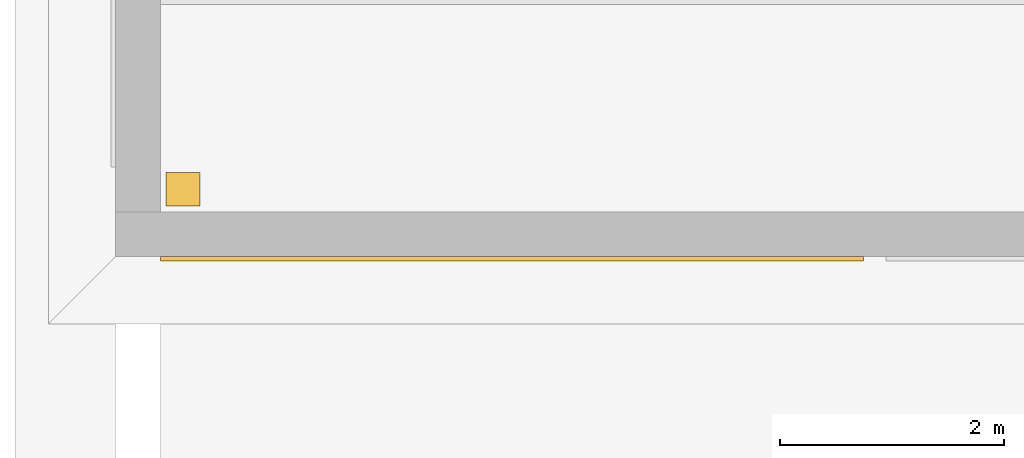
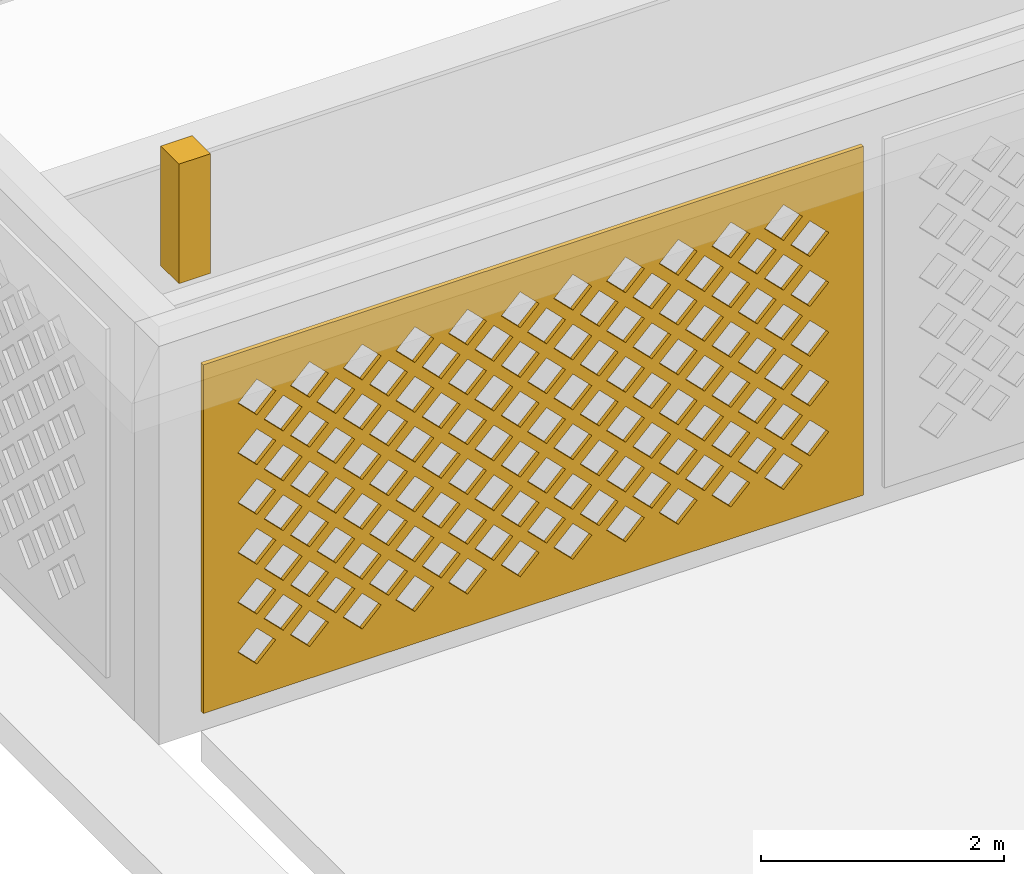
# One storey, part 18 of 63: 2 coverings.
"""IFC4 building model written with IfcOpenShell, lengths in metres."""

from ifc_helpers import new_model, si_unit, direction, frame, origin, origin_2d, place, context, subcontext, project, spatial, polyline, rectangle, outline, extrude, material, layer, layer_set, type_object, element, save


model = new_model("IFC4")

# Units and contexts
model_context = context("Model", 3, precision=1e-05, world=origin(), true_north=direction((0.0, 1.0)))
body_context = subcontext(model_context, "Body", "Model", "MODEL_VIEW")
ifc_project = project(units=[si_unit("LENGTHUNIT", "METRE"), si_unit("AREAUNIT", "SQUARE_METRE"), si_unit("VOLUMEUNIT", "CUBIC_METRE"), si_unit("PLANEANGLEUNIT", "RADIAN"), si_unit("MASSUNIT", "GRAM", prefix="KILO")], contexts=[model_context])

# Site, building, storey
site_placement = place(None, origin())
site = spatial("IfcSite", under=ifc_project, at=site_placement, CompositionType="ELEMENT")
building_placement = place(site_placement, origin())
building = spatial("IfcBuilding", under=site, at=building_placement, Name="Noorbagh Ring Tower", CompositionType="ELEMENT")
storey_placement = place(building_placement, frame((0.0, 0.0, 25.0)))
storey = spatial("IfcBuildingStorey", under=building, at=storey_placement, Name="L04", CompositionType="ELEMENT", Elevation=25.0)

# Coverings
ifc_material_1 = material(Name="Red sandstone jali", Category="masonry")
ifc_layer = layer(ifc_material_1, 0.0400390625)
ifc_layer_set = layer_set([ifc_layer], Name="Red sandstone jali")
covering_type_1 = type_object("IfcCoveringType", Name="STH-BAND", PredefinedType="USERDEFINED", material=ifc_layer_set)
covering_1_placement = place(storey_placement, frame((-159.60009765625, -13.239990234375, 0.199951171875), z_axis=(0.0, -1.0, 0.0), x_axis=(1.0, 0.0, 0.0)))
element("IfcCovering", 1, at=covering_1_placement, inside=storey, type_object=covering_type_1, Name="Jali band of the stage house", ObjectType="JALI SCREEN", PredefinedType="USERDEFINED", context=body_context, shape_type="SweptSolid", body=[
    extrude(outline(polyline([(0.0, 0.0), (6.266845703125, 0.0), (6.266845703125, 3.5), (0.0, 3.5), (0.0, 0.0)]), holes=[polyline([(0.328369140625, 0.5), (0.50830078125, 0.320068359375), (0.688232421875, 0.5), (0.50830078125, 0.679931640625), (0.328369140625, 0.5)]), polyline([(0.828369140625, 0.5), (1.00830078125, 0.320068359375), (1.188232421875, 0.5), (1.00830078125, 0.679931640625), (0.828369140625, 0.5)]), polyline([(1.328369140625, 0.5), (1.50830078125, 0.320068359375), (1.688232421875, 0.5), (1.50830078125, 0.679931640625), (1.328369140625, 0.5)]), polyline([(1.828369140625, 0.5), (2.00830078125, 0.320068359375), (2.188232421875, 0.5), (2.00830078125, 0.679931640625), (1.828369140625, 0.5)]), polyline([(2.328369140625, 0.5), (2.50830078125, 0.320068359375), (2.688232421875, 0.5), (2.50830078125, 0.679931640625), (2.328369140625, 0.5)]), polyline([(2.828369140625, 0.5), (3.00830078125, 0.320068359375), (3.188232421875, 0.5), (3.00830078125, 0.679931640625), (2.828369140625, 0.5)]), polyline([(3.328369140625, 0.5), (3.50830078125, 0.320068359375), (3.688232421875, 0.5), (3.50830078125, 0.679931640625), (3.328369140625, 0.5)]), polyline([(3.828369140625, 0.5), (4.00830078125, 0.320068359375), (4.188232421875, 0.5), (4.00830078125, 0.679931640625), (3.828369140625, 0.5)]), polyline([(4.328369140625, 0.5), (4.50830078125, 0.320068359375), (4.688232421875, 0.5), (4.50830078125, 0.679931640625), (4.328369140625, 0.5)]), polyline([(4.828369140625, 0.5), (5.00830078125, 0.320068359375), (5.188232421875, 0.5), (5.00830078125, 0.679931640625), (4.828369140625, 0.5)]), polyline([(5.328369140625, 0.5), (5.50830078125, 0.320068359375), (5.688232421875, 0.5), (5.50830078125, 0.679931640625), (5.328369140625, 0.5)]), polyline([(0.578369140625, 0.75), (0.75830078125, 0.570068359375), (0.938232421875, 0.75), (0.75830078125, 0.929931640625), (0.578369140625, 0.75)]), polyline([(1.078369140625, 0.75), (1.25830078125, 0.570068359375), (1.438232421875, 0.75), (1.25830078125, 0.929931640625), (1.078369140625, 0.75)]), polyline([(1.578369140625, 0.75), (1.75830078125, 0.570068359375), (1.938232421875, 0.75), (1.75830078125, 0.929931640625), (1.578369140625, 0.75)]), polyline([(2.078369140625, 0.75), (2.25830078125, 0.570068359375), (2.438232421875, 0.75), (2.25830078125, 0.929931640625), (2.078369140625, 0.75)]), polyline([(2.578369140625, 0.75), (2.75830078125, 0.570068359375), (2.938232421875, 0.75), (2.75830078125, 0.929931640625), (2.578369140625, 0.75)]), polyline([(3.078369140625, 0.75), (3.25830078125, 0.570068359375), (3.438232421875, 0.75), (3.25830078125, 0.929931640625), (3.078369140625, 0.75)]), polyline([(3.578369140625, 0.75), (3.75830078125, 0.570068359375), (3.938232421875, 0.75), (3.75830078125, 0.929931640625), (3.578369140625, 0.75)]), polyline([(4.078369140625, 0.75), (4.25830078125, 0.570068359375), (4.438232421875, 0.75), (4.25830078125, 0.929931640625), (4.078369140625, 0.75)]), polyline([(4.578369140625, 0.75), (4.75830078125, 0.570068359375), (4.938232421875, 0.75), (4.75830078125, 0.929931640625), (4.578369140625, 0.75)]), polyline([(5.078369140625, 0.75), (5.25830078125, 0.570068359375), (5.438232421875, 0.75), (5.25830078125, 0.929931640625), (5.078369140625, 0.75)]), polyline([(5.578369140625, 0.75), (5.75830078125, 0.570068359375), (5.938232421875, 0.75), (5.75830078125, 0.929931640625), (5.578369140625, 0.75)]), polyline([(0.328369140625, 1.0), (0.50830078125, 0.820068359375), (0.688232421875, 1.0), (0.50830078125, 1.179931640625), (0.328369140625, 1.0)]), polyline([(0.828369140625, 1.0), (1.00830078125, 0.820068359375), (1.188232421875, 1.0), (1.00830078125, 1.179931640625), (0.828369140625, 1.0)]), polyline([(1.328369140625, 1.0), (1.50830078125, 0.820068359375), (1.688232421875, 1.0), (1.50830078125, 1.179931640625), (1.328369140625, 1.0)]), polyline([(1.828369140625, 1.0), (2.00830078125, 0.820068359375), (2.188232421875, 1.0), (2.00830078125, 1.179931640625), (1.828369140625, 1.0)]), polyline([(2.328369140625, 1.0), (2.50830078125, 0.820068359375), (2.688232421875, 1.0), (2.50830078125, 1.179931640625), (2.328369140625, 1.0)]), polyline([(2.828369140625, 1.0), (3.00830078125, 0.820068359375), (3.188232421875, 1.0), (3.00830078125, 1.179931640625), (2.828369140625, 1.0)]), polyline([(3.328369140625, 1.0), (3.50830078125, 0.820068359375), (3.688232421875, 1.0), (3.50830078125, 1.179931640625), (3.328369140625, 1.0)]), polyline([(3.828369140625, 1.0), (4.00830078125, 0.820068359375), (4.188232421875, 1.0), (4.00830078125, 1.179931640625), (3.828369140625, 1.0)]), polyline([(4.328369140625, 1.0), (4.50830078125, 0.820068359375), (4.688232421875, 1.0), (4.50830078125, 1.179931640625), (4.328369140625, 1.0)]), polyline([(4.828369140625, 1.0), (5.00830078125, 0.820068359375), (5.188232421875, 1.0), (5.00830078125, 1.179931640625), (4.828369140625, 1.0)]), polyline([(5.328369140625, 1.0), (5.50830078125, 0.820068359375), (5.688232421875, 1.0), (5.50830078125, 1.179931640625), (5.328369140625, 1.0)]), polyline([(0.578369140625, 1.25), (0.75830078125, 1.070068359375), (0.938232421875, 1.25), (0.75830078125, 1.429931640625), (0.578369140625, 1.25)]), polyline([(1.078369140625, 1.25), (1.25830078125, 1.070068359375), (1.438232421875, 1.25), (1.25830078125, 1.429931640625), (1.078369140625, 1.25)]), polyline([(1.578369140625, 1.25), (1.75830078125, 1.070068359375), (1.938232421875, 1.25), (1.75830078125, 1.429931640625), (1.578369140625, 1.25)]), polyline([(2.078369140625, 1.25), (2.25830078125, 1.070068359375), (2.438232421875, 1.25), (2.25830078125, 1.429931640625), (2.078369140625, 1.25)]), polyline([(2.578369140625, 1.25), (2.75830078125, 1.070068359375), (2.938232421875, 1.25), (2.75830078125, 1.429931640625), (2.578369140625, 1.25)]), polyline([(3.078369140625, 1.25), (3.25830078125, 1.070068359375), (3.438232421875, 1.25), (3.25830078125, 1.429931640625), (3.078369140625, 1.25)]), polyline([(3.578369140625, 1.25), (3.75830078125, 1.070068359375), (3.938232421875, 1.25), (3.75830078125, 1.429931640625), (3.578369140625, 1.25)]), polyline([(4.078369140625, 1.25), (4.25830078125, 1.070068359375), (4.438232421875, 1.25), (4.25830078125, 1.429931640625), (4.078369140625, 1.25)]), polyline([(4.578369140625, 1.25), (4.75830078125, 1.070068359375), (4.938232421875, 1.25), (4.75830078125, 1.429931640625), (4.578369140625, 1.25)]), polyline([(5.078369140625, 1.25), (5.25830078125, 1.070068359375), (5.438232421875, 1.25), (5.25830078125, 1.429931640625), (5.078369140625, 1.25)]), polyline([(5.578369140625, 1.25), (5.75830078125, 1.070068359375), (5.938232421875, 1.25), (5.75830078125, 1.429931640625), (5.578369140625, 1.25)]), polyline([(0.328369140625, 1.5), (0.50830078125, 1.320068359375), (0.688232421875, 1.5), (0.50830078125, 1.679931640625), (0.328369140625, 1.5)]), polyline([(0.828369140625, 1.5), (1.00830078125, 1.320068359375), (1.188232421875, 1.5), (1.00830078125, 1.679931640625), (0.828369140625, 1.5)]), polyline([(1.328369140625, 1.5), (1.50830078125, 1.320068359375), (1.688232421875, 1.5), (1.50830078125, 1.679931640625), (1.328369140625, 1.5)]), polyline([(1.828369140625, 1.5), (2.00830078125, 1.320068359375), (2.188232421875, 1.5), (2.00830078125, 1.679931640625), (1.828369140625, 1.5)]), polyline([(2.328369140625, 1.5), (2.50830078125, 1.320068359375), (2.688232421875, 1.5), (2.50830078125, 1.679931640625), (2.328369140625, 1.5)]), polyline([(2.828369140625, 1.5), (3.00830078125, 1.320068359375), (3.188232421875, 1.5), (3.00830078125, 1.679931640625), (2.828369140625, 1.5)]), polyline([(3.328369140625, 1.5), (3.50830078125, 1.320068359375), (3.688232421875, 1.5), (3.50830078125, 1.679931640625), (3.328369140625, 1.5)]), polyline([(3.828369140625, 1.5), (4.00830078125, 1.320068359375), (4.188232421875, 1.5), (4.00830078125, 1.679931640625), (3.828369140625, 1.5)]), polyline([(4.328369140625, 1.5), (4.50830078125, 1.320068359375), (4.688232421875, 1.5), (4.50830078125, 1.679931640625), (4.328369140625, 1.5)]), polyline([(4.828369140625, 1.5), (5.00830078125, 1.320068359375), (5.188232421875, 1.5), (5.00830078125, 1.679931640625), (4.828369140625, 1.5)]), polyline([(5.328369140625, 1.5), (5.50830078125, 1.320068359375), (5.688232421875, 1.5), (5.50830078125, 1.679931640625), (5.328369140625, 1.5)]), polyline([(0.578369140625, 1.75), (0.75830078125, 1.570068359375), (0.938232421875, 1.75), (0.75830078125, 1.929931640625), (0.578369140625, 1.75)]), polyline([(1.078369140625, 1.75), (1.25830078125, 1.570068359375), (1.438232421875, 1.75), (1.25830078125, 1.929931640625), (1.078369140625, 1.75)]), polyline([(1.578369140625, 1.75), (1.75830078125, 1.570068359375), (1.938232421875, 1.75), (1.75830078125, 1.929931640625), (1.578369140625, 1.75)]), polyline([(2.078369140625, 1.75), (2.25830078125, 1.570068359375), (2.438232421875, 1.75), (2.25830078125, 1.929931640625), (2.078369140625, 1.75)]), polyline([(2.578369140625, 1.75), (2.75830078125, 1.570068359375), (2.938232421875, 1.75), (2.75830078125, 1.929931640625), (2.578369140625, 1.75)]), polyline([(3.078369140625, 1.75), (3.25830078125, 1.570068359375), (3.438232421875, 1.75), (3.25830078125, 1.929931640625), (3.078369140625, 1.75)]), polyline([(3.578369140625, 1.75), (3.75830078125, 1.570068359375), (3.938232421875, 1.75), (3.75830078125, 1.929931640625), (3.578369140625, 1.75)]), polyline([(4.078369140625, 1.75), (4.25830078125, 1.570068359375), (4.438232421875, 1.75), (4.25830078125, 1.929931640625), (4.078369140625, 1.75)]), polyline([(4.578369140625, 1.75), (4.75830078125, 1.570068359375), (4.938232421875, 1.75), (4.75830078125, 1.929931640625), (4.578369140625, 1.75)]), polyline([(5.078369140625, 1.75), (5.25830078125, 1.570068359375), (5.438232421875, 1.75), (5.25830078125, 1.929931640625), (5.078369140625, 1.75)]), polyline([(5.578369140625, 1.75), (5.75830078125, 1.570068359375), (5.938232421875, 1.75), (5.75830078125, 1.929931640625), (5.578369140625, 1.75)]), polyline([(0.328369140625, 2.0), (0.50830078125, 1.820068359375), (0.688232421875, 2.0), (0.50830078125, 2.179931640625), (0.328369140625, 2.0)]), polyline([(0.828369140625, 2.0), (1.00830078125, 1.820068359375), (1.188232421875, 2.0), (1.00830078125, 2.179931640625), (0.828369140625, 2.0)]), polyline([(1.328369140625, 2.0), (1.50830078125, 1.820068359375), (1.688232421875, 2.0), (1.50830078125, 2.179931640625), (1.328369140625, 2.0)]), polyline([(1.828369140625, 2.0), (2.00830078125, 1.820068359375), (2.188232421875, 2.0), (2.00830078125, 2.179931640625), (1.828369140625, 2.0)]), polyline([(2.328369140625, 2.0), (2.50830078125, 1.820068359375), (2.688232421875, 2.0), (2.50830078125, 2.179931640625), (2.328369140625, 2.0)]), polyline([(2.828369140625, 2.0), (3.00830078125, 1.820068359375), (3.188232421875, 2.0), (3.00830078125, 2.179931640625), (2.828369140625, 2.0)]), polyline([(3.328369140625, 2.0), (3.50830078125, 1.820068359375), (3.688232421875, 2.0), (3.50830078125, 2.179931640625), (3.328369140625, 2.0)]), polyline([(3.828369140625, 2.0), (4.00830078125, 1.820068359375), (4.188232421875, 2.0), (4.00830078125, 2.179931640625), (3.828369140625, 2.0)]), polyline([(4.328369140625, 2.0), (4.50830078125, 1.820068359375), (4.688232421875, 2.0), (4.50830078125, 2.179931640625), (4.328369140625, 2.0)]), polyline([(4.828369140625, 2.0), (5.00830078125, 1.820068359375), (5.188232421875, 2.0), (5.00830078125, 2.179931640625), (4.828369140625, 2.0)]), polyline([(5.328369140625, 2.0), (5.50830078125, 1.820068359375), (5.688232421875, 2.0), (5.50830078125, 2.179931640625), (5.328369140625, 2.0)]), polyline([(0.578369140625, 2.25), (0.75830078125, 2.070068359375), (0.938232421875, 2.25), (0.75830078125, 2.429931640625), (0.578369140625, 2.25)]), polyline([(1.078369140625, 2.25), (1.25830078125, 2.070068359375), (1.438232421875, 2.25), (1.25830078125, 2.429931640625), (1.078369140625, 2.25)]), polyline([(1.578369140625, 2.25), (1.75830078125, 2.070068359375), (1.938232421875, 2.25), (1.75830078125, 2.429931640625), (1.578369140625, 2.25)]), polyline([(2.078369140625, 2.25), (2.25830078125, 2.070068359375), (2.438232421875, 2.25), (2.25830078125, 2.429931640625), (2.078369140625, 2.25)]), polyline([(2.578369140625, 2.25), (2.75830078125, 2.070068359375), (2.938232421875, 2.25), (2.75830078125, 2.429931640625), (2.578369140625, 2.25)]), polyline([(3.078369140625, 2.25), (3.25830078125, 2.070068359375), (3.438232421875, 2.25), (3.25830078125, 2.429931640625), (3.078369140625, 2.25)]), polyline([(3.578369140625, 2.25), (3.75830078125, 2.070068359375), (3.938232421875, 2.25), (3.75830078125, 2.429931640625), (3.578369140625, 2.25)]), polyline([(4.078369140625, 2.25), (4.25830078125, 2.070068359375), (4.438232421875, 2.25), (4.25830078125, 2.429931640625), (4.078369140625, 2.25)]), polyline([(4.578369140625, 2.25), (4.75830078125, 2.070068359375), (4.938232421875, 2.25), (4.75830078125, 2.429931640625), (4.578369140625, 2.25)]), polyline([(5.078369140625, 2.25), (5.25830078125, 2.070068359375), (5.438232421875, 2.25), (5.25830078125, 2.429931640625), (5.078369140625, 2.25)]), polyline([(5.578369140625, 2.25), (5.75830078125, 2.070068359375), (5.938232421875, 2.25), (5.75830078125, 2.429931640625), (5.578369140625, 2.25)]), polyline([(0.328369140625, 2.5), (0.50830078125, 2.320068359375), (0.688232421875, 2.5), (0.50830078125, 2.679931640625), (0.328369140625, 2.5)]), polyline([(0.828369140625, 2.5), (1.00830078125, 2.320068359375), (1.188232421875, 2.5), (1.00830078125, 2.679931640625), (0.828369140625, 2.5)]), polyline([(1.328369140625, 2.5), (1.50830078125, 2.320068359375), (1.688232421875, 2.5), (1.50830078125, 2.679931640625), (1.328369140625, 2.5)]), polyline([(1.828369140625, 2.5), (2.00830078125, 2.320068359375), (2.188232421875, 2.5), (2.00830078125, 2.679931640625), (1.828369140625, 2.5)]), polyline([(2.328369140625, 2.5), (2.50830078125, 2.320068359375), (2.688232421875, 2.5), (2.50830078125, 2.679931640625), (2.328369140625, 2.5)]), polyline([(2.828369140625, 2.5), (3.00830078125, 2.320068359375), (3.188232421875, 2.5), (3.00830078125, 2.679931640625), (2.828369140625, 2.5)]), polyline([(3.328369140625, 2.5), (3.50830078125, 2.320068359375), (3.688232421875, 2.5), (3.50830078125, 2.679931640625), (3.328369140625, 2.5)]), polyline([(3.828369140625, 2.5), (4.00830078125, 2.320068359375), (4.188232421875, 2.5), (4.00830078125, 2.679931640625), (3.828369140625, 2.5)]), polyline([(4.328369140625, 2.5), (4.50830078125, 2.320068359375), (4.688232421875, 2.5), (4.50830078125, 2.679931640625), (4.328369140625, 2.5)]), polyline([(4.828369140625, 2.5), (5.00830078125, 2.320068359375), (5.188232421875, 2.5), (5.00830078125, 2.679931640625), (4.828369140625, 2.5)]), polyline([(5.328369140625, 2.5), (5.50830078125, 2.320068359375), (5.688232421875, 2.5), (5.50830078125, 2.679931640625), (5.328369140625, 2.5)]), polyline([(0.578369140625, 2.75), (0.75830078125, 2.570068359375), (0.938232421875, 2.75), (0.75830078125, 2.929931640625), (0.578369140625, 2.75)]), polyline([(1.078369140625, 2.75), (1.25830078125, 2.570068359375), (1.438232421875, 2.75), (1.25830078125, 2.929931640625), (1.078369140625, 2.75)]), polyline([(1.578369140625, 2.75), (1.75830078125, 2.570068359375), (1.938232421875, 2.75), (1.75830078125, 2.929931640625), (1.578369140625, 2.75)]), polyline([(2.078369140625, 2.75), (2.25830078125, 2.570068359375), (2.438232421875, 2.75), (2.25830078125, 2.929931640625), (2.078369140625, 2.75)]), polyline([(2.578369140625, 2.75), (2.75830078125, 2.570068359375), (2.938232421875, 2.75), (2.75830078125, 2.929931640625), (2.578369140625, 2.75)]), polyline([(3.078369140625, 2.75), (3.25830078125, 2.570068359375), (3.438232421875, 2.75), (3.25830078125, 2.929931640625), (3.078369140625, 2.75)]), polyline([(3.578369140625, 2.75), (3.75830078125, 2.570068359375), (3.938232421875, 2.75), (3.75830078125, 2.929931640625), (3.578369140625, 2.75)]), polyline([(4.078369140625, 2.75), (4.25830078125, 2.570068359375), (4.438232421875, 2.75), (4.25830078125, 2.929931640625), (4.078369140625, 2.75)]), polyline([(4.578369140625, 2.75), (4.75830078125, 2.570068359375), (4.938232421875, 2.75), (4.75830078125, 2.929931640625), (4.578369140625, 2.75)]), polyline([(5.078369140625, 2.75), (5.25830078125, 2.570068359375), (5.438232421875, 2.75), (5.25830078125, 2.929931640625), (5.078369140625, 2.75)]), polyline([(5.578369140625, 2.75), (5.75830078125, 2.570068359375), (5.938232421875, 2.75), (5.75830078125, 2.929931640625), (5.578369140625, 2.75)]), polyline([(0.328369140625, 3.0), (0.50830078125, 2.820068359375), (0.688232421875, 3.0), (0.50830078125, 3.179931640625), (0.328369140625, 3.0)]), polyline([(0.828369140625, 3.0), (1.00830078125, 2.820068359375), (1.188232421875, 3.0), (1.00830078125, 3.179931640625), (0.828369140625, 3.0)]), polyline([(1.328369140625, 3.0), (1.50830078125, 2.820068359375), (1.688232421875, 3.0), (1.50830078125, 3.179931640625), (1.328369140625, 3.0)]), polyline([(1.828369140625, 3.0), (2.00830078125, 2.820068359375), (2.188232421875, 3.0), (2.00830078125, 3.179931640625), (1.828369140625, 3.0)]), polyline([(2.328369140625, 3.0), (2.50830078125, 2.820068359375), (2.688232421875, 3.0), (2.50830078125, 3.179931640625), (2.328369140625, 3.0)]), polyline([(2.828369140625, 3.0), (3.00830078125, 2.820068359375), (3.188232421875, 3.0), (3.00830078125, 3.179931640625), (2.828369140625, 3.0)]), polyline([(3.328369140625, 3.0), (3.50830078125, 2.820068359375), (3.688232421875, 3.0), (3.50830078125, 3.179931640625), (3.328369140625, 3.0)]), polyline([(3.828369140625, 3.0), (4.00830078125, 2.820068359375), (4.188232421875, 3.0), (4.00830078125, 3.179931640625), (3.828369140625, 3.0)]), polyline([(4.328369140625, 3.0), (4.50830078125, 2.820068359375), (4.688232421875, 3.0), (4.50830078125, 3.179931640625), (4.328369140625, 3.0)]), polyline([(4.828369140625, 3.0), (5.00830078125, 2.820068359375), (5.188232421875, 3.0), (5.00830078125, 3.179931640625), (4.828369140625, 3.0)]), polyline([(5.328369140625, 3.0), (5.50830078125, 2.820068359375), (5.688232421875, 3.0), (5.50830078125, 3.179931640625), (5.328369140625, 3.0)])]), origin(), (0.0, 0.0, -1.0), 0.0400390625),
])
ifc_material_2 = material(Name="Brass finial")
covering_type_2 = type_object("IfcCoveringType", Name="STH-FINIAL", PredefinedType="ROOFING", material=ifc_material_2)
covering_2_placement = place(storey_placement, frame((-159.39990234375, -12.60009765625, 4.2001953125), z_axis=(0.0, 0.0, 1.0), x_axis=(1.0, 0.0, 0.0)))
element("IfcCovering", 2, at=covering_2_placement, inside=storey, type_object=covering_type_2, Name="Corner finial of the stage house", PredefinedType="ROOFING", context=body_context, shape_type="SweptSolid", body=[
    extrude(rectangle(XDim=0.300048828125, YDim=0.300048828125, at=origin_2d()), origin(), (0.0, 0.0, 1.0), 1.199951171875),
])

save(model, "model.ifc")
